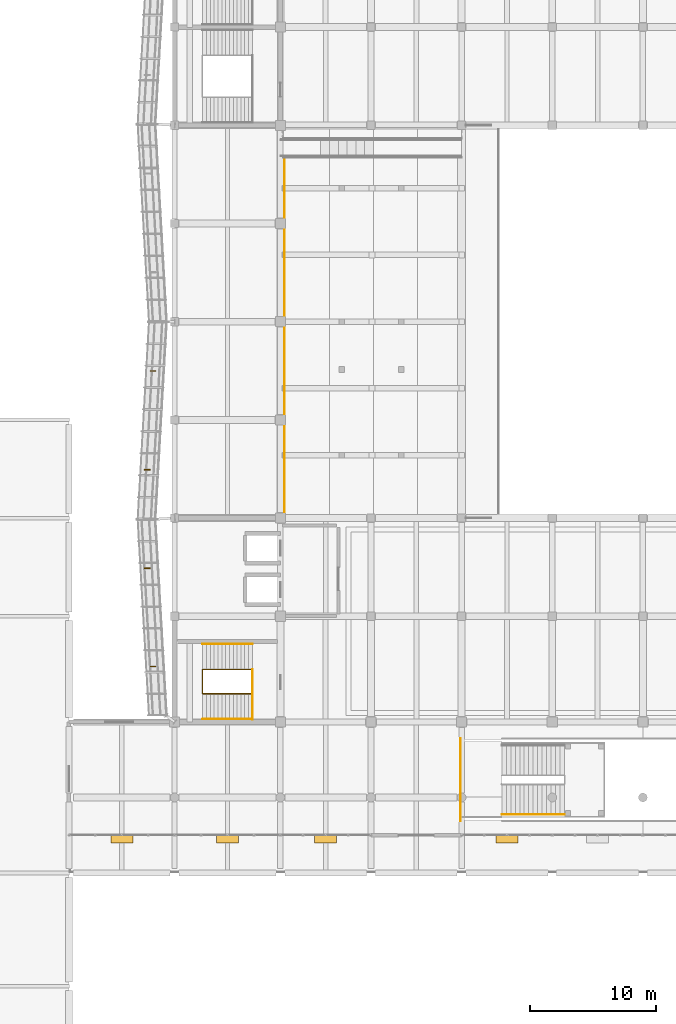
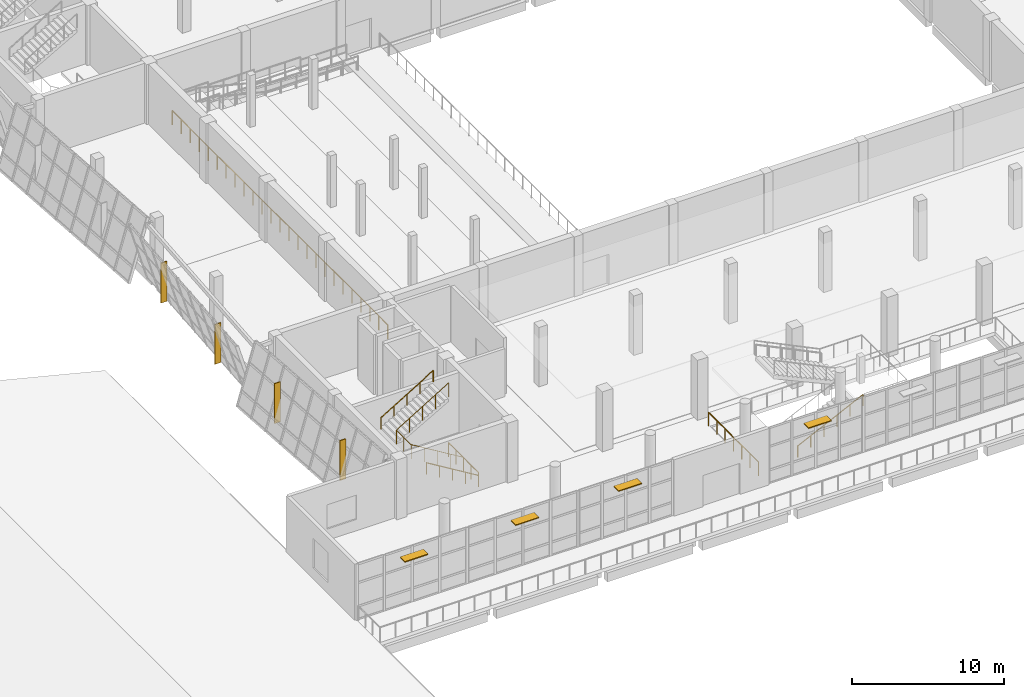
# One storey, part 72 of 79: 8 shading devices, 7 railings.
"""IFC4 building model written with IfcOpenShell, lengths in metres."""

from ifc_helpers import new_model, si_unit, direction, frame, origin, origin_2d, place, context, subcontext, project, spatial, rectangle, circle, extrude, material, type_object, element, save


model = new_model("IFC4")

# Units and contexts
model_context = context("Model", 3, precision=1e-05, world=origin(), true_north=direction((0.0, 1.0)))
body_context = subcontext(model_context, "Body", "Model", "MODEL_VIEW")
ifc_project = project(units=[si_unit("LENGTHUNIT", "METRE"), si_unit("AREAUNIT", "SQUARE_METRE"), si_unit("VOLUMEUNIT", "CUBIC_METRE"), si_unit("PLANEANGLEUNIT", "RADIAN"), si_unit("MASSUNIT", "GRAM", prefix="KILO")], contexts=[model_context])

# Site, building, storey
site_placement = place(None, origin())
site = spatial("IfcSite", under=ifc_project, at=site_placement, CompositionType="ELEMENT")
building_placement = place(site_placement, origin())
building = spatial("IfcBuilding", under=site, at=building_placement, Name="Pellamere Symphony Hall", CompositionType="ELEMENT")
storey_placement = place(building_placement, frame((0.0, 0.0, 10.199951171875)))
storey = spatial("IfcBuildingStorey", under=building, at=storey_placement, Name="L02", CompositionType="ELEMENT", Elevation=10.199951171875)

# Railings
ifc_material_1 = material(Name="Laminated Low-Iron Acoustic Balustrade Glass", Category="glass")
railing_type_1 = type_object("IfcRailingType", Name="Balustrade BL-01 H1120 Laminated", PredefinedType="BALUSTRADE", material=ifc_material_1)
railing_1_placement = place(storey_placement, frame((73.1201171875, 22.1201171875, 0.0)))
element("IfcRailing", 1, at=railing_1_placement, inside=storey, type_object=railing_type_1, Name="Safety Guardrail BL-ATR-L02W", PredefinedType="BALUSTRADE", context=body_context, shape_type="SweptSolid", body=[
    extrude(circle(Radius=0.02392578125, at=origin_2d()), frame((0.0, 0.0, 1.09619140625), z_axis=(0.0, 1.0, 0.0), x_axis=(-1.0, 0.0, 0.0)), (0.0, 0.0, 1.0), 6.559814453125),
    extrude(circle(Radius=0.02099609375, at=origin_2d()), origin(), (0.0, 0.0, 1.0), 1.072021484375),
    extrude(circle(Radius=0.02099609375, at=origin_2d()), frame((0.0, 1.09326171875, 0.0)), (0.0, 0.0, 1.0), 1.072021484375),
    extrude(circle(Radius=0.02099609375, at=origin_2d()), frame((0.0, 2.1865234375, 0.0)), (0.0, 0.0, 1.0), 1.072021484375),
    extrude(circle(Radius=0.02099609375, at=origin_2d()), frame((0.0, 3.27978515625, 0.0)), (0.0, 0.0, 1.0), 1.072021484375),
    extrude(circle(Radius=0.02099609375, at=origin_2d()), frame((0.0, 4.373291015625, 0.0)), (0.0, 0.0, 1.0), 1.072021484375),
    extrude(circle(Radius=0.02099609375, at=origin_2d()), frame((0.0, 5.466552734375, 0.0)), (0.0, 0.0, 1.0), 1.072021484375),
    extrude(circle(Radius=0.02099609375, at=origin_2d()), frame((0.0, 6.559814453125, 0.0)), (0.0, 0.0, 1.0), 1.072021484375),
])
ifc_material_2 = material(Name="Architectural Bronze-Anodised Aluminium Balustrade", Category="aluminium")
railing_type_2 = type_object("IfcRailingType", Name="Balustrade BL-02 H1150 Architectural", PredefinedType="BALUSTRADE", material=ifc_material_2)
railing_2_placement = place(storey_placement, frame((59.1201171875, 46.550048828125, 1.050048828125)))
element("IfcRailing", 2, at=railing_2_placement, inside=storey, type_object=railing_type_2, Name="Safety Guardrail BL-M-L02W", PredefinedType="BALUSTRADE", context=body_context, shape_type="SweptSolid", body=[
    extrude(circle(Radius=0.02392578125, at=origin_2d()), frame((0.0, 0.0, 1.1259765625), z_axis=(0.0, 1.0, 0.0), x_axis=(-1.0, 0.0, 0.0)), (0.0, 0.0, 1.0), 28.300048828125),
    extrude(circle(Radius=0.02099609375, at=origin_2d()), origin(), (0.0, 0.0, 1.0), 1.101806640625),
    extrude(circle(Radius=0.02099609375, at=origin_2d()), frame((0.0, 1.17919921875, 0.0)), (0.0, 0.0, 1.0), 1.101806640625),
    extrude(circle(Radius=0.02099609375, at=origin_2d()), frame((0.0, 2.3583984375, 0.0)), (0.0, 0.0, 1.0), 1.101806640625),
    extrude(circle(Radius=0.02099609375, at=origin_2d()), frame((0.0, 3.53759765625, 0.0)), (0.0, 0.0, 1.0), 1.101806640625),
    extrude(circle(Radius=0.02099609375, at=origin_2d()), frame((0.0, 4.716796875, 0.0)), (0.0, 0.0, 1.0), 1.101806640625),
    extrude(circle(Radius=0.02099609375, at=origin_2d()), frame((0.0, 5.895751953125, 0.0)), (0.0, 0.0, 1.0), 1.101806640625),
    extrude(circle(Radius=0.02099609375, at=origin_2d()), frame((0.0, 7.074951171875, 0.0)), (0.0, 0.0, 1.0), 1.101806640625),
    extrude(circle(Radius=0.02099609375, at=origin_2d()), frame((0.0, 8.254150390625, 0.0)), (0.0, 0.0, 1.0), 1.101806640625),
    extrude(circle(Radius=0.02099609375, at=origin_2d()), frame((0.0, 9.433349609375, 0.0)), (0.0, 0.0, 1.0), 1.101806640625),
    extrude(circle(Radius=0.02099609375, at=origin_2d()), frame((0.0, 10.612548828125, 0.0)), (0.0, 0.0, 1.0), 1.101806640625),
    extrude(circle(Radius=0.02099609375, at=origin_2d()), frame((0.0, 11.791748046875, 0.0)), (0.0, 0.0, 1.0), 1.101806640625),
    extrude(circle(Radius=0.02099609375, at=origin_2d()), frame((0.0, 12.970947265625, 0.0)), (0.0, 0.0, 1.0), 1.101806640625),
    extrude(circle(Radius=0.02099609375, at=origin_2d()), frame((0.0, 14.14990234375, 0.0)), (0.0, 0.0, 1.0), 1.101806640625),
    extrude(circle(Radius=0.02099609375, at=origin_2d()), frame((0.0, 15.3291015625, 0.0)), (0.0, 0.0, 1.0), 1.101806640625),
    extrude(circle(Radius=0.02099609375, at=origin_2d()), frame((0.0, 16.50830078125, 0.0)), (0.0, 0.0, 1.0), 1.101806640625),
    extrude(circle(Radius=0.02099609375, at=origin_2d()), frame((0.0, 17.6875, 0.0)), (0.0, 0.0, 1.0), 1.101806640625),
    extrude(circle(Radius=0.02099609375, at=origin_2d()), frame((0.0, 18.86669921875, 0.0)), (0.0, 0.0, 1.0), 1.101806640625),
    extrude(circle(Radius=0.02099609375, at=origin_2d()), frame((0.0, 20.0458984375, 0.0)), (0.0, 0.0, 1.0), 1.101806640625),
    extrude(circle(Radius=0.02099609375, at=origin_2d()), frame((0.0, 21.22509765625, 0.0)), (0.0, 0.0, 1.0), 1.101806640625),
    extrude(circle(Radius=0.02099609375, at=origin_2d()), frame((0.0, 22.404296875, 0.0)), (0.0, 0.0, 1.0), 1.101806640625),
    extrude(circle(Radius=0.02099609375, at=origin_2d()), frame((0.0, 23.58349609375, 0.0)), (0.0, 0.0, 1.0), 1.101806640625),
    extrude(circle(Radius=0.02099609375, at=origin_2d()), frame((0.0, 24.762451171875, 0.0)), (0.0, 0.0, 1.0), 1.101806640625),
    extrude(circle(Radius=0.02099609375, at=origin_2d()), frame((0.0, 25.941650390625, 0.0)), (0.0, 0.0, 1.0), 1.101806640625),
    extrude(circle(Radius=0.02099609375, at=origin_2d()), frame((0.0, 27.120849609375, 0.0)), (0.0, 0.0, 1.0), 1.101806640625),
    extrude(circle(Radius=0.02099609375, at=origin_2d()), frame((0.0, 28.300048828125, 0.0)), (0.0, 0.0, 1.0), 1.101806640625),
])

# Shading devices
ifc_material_3 = material(Name="Champagne-Anodised Extruded Aluminium 6063-T6", Category="aluminium")
shading_device_type_1 = type_object("IfcShadingDeviceType", Name="Exterior Shading SD-01 65x450", PredefinedType="SHUTTER", material=ifc_material_3)
for number, where, z_axis, x_axis, name in (
    (3, (48.674072265625, 57.875, 0.80029296875), (0.0, 0.0, 1.0), (0.0, 1.0, 0.0), "Crystal Acoustic Sunshade Fin CW-CR17 (L02)"),
    (4, (48.22412109375, 50.02490234375, 0.80029296875), (0.0, 0.0, 1.0), (0.0, 1.0, 0.0), "Crystal Acoustic Sunshade Fin CW-CR17 (L02)"),
    (5, (48.22412109375, 42.199951171875, 0.80029296875), (0.0, 0.0, 1.0), (0.0, 1.0, 0.0), "Crystal Acoustic Sunshade Fin CW-CR18 (L02)"),
    (6, (48.674072265625, 34.39990234375, 0.80029296875), (0.0, 0.0, 1.0), (0.0, 1.0, 0.0), "Crystal Acoustic Sunshade Fin CW-CR18 (L02)"),
):
    element("IfcShadingDevice", number, at=place(storey_placement, frame(where, z_axis=z_axis, x_axis=x_axis)), inside=storey, type_object=shading_device_type_1, Name=name, PredefinedType="SHUTTER", context=body_context, shape_type="SweptSolid", body=[
        extrude(rectangle(XDim=0.06494140625, YDim=0.449951171875, at=origin_2d()), origin(), (0.0, 0.0, 1.0), 3.199951171875),
    ])
shading_device_type_2 = type_object("IfcShadingDeviceType", Name="Exterior Shading SD-02 1750x650", PredefinedType="AWNING", material=ifc_material_3)
for number, where, z_axis, x_axis, name in (
    (7, (46.199951171875, 20.719970703125, 3.8125), (0.0, 0.0, 1.0), (1.0, 0.0, 0.0), "South Concourse Brise-Soleil Awning (L02 Bay 1)"),
    (8, (54.60009765625, 20.719970703125, 3.8125), (0.0, 0.0, 1.0), (1.0, 0.0, 0.0), "South Concourse Brise-Soleil Awning (L02 Bay 2)"),
    (9, (62.39990234375, 20.719970703125, 3.8125), (0.0, 0.0, 1.0), (1.0, 0.0, 0.0), "South Concourse Brise-Soleil Awning (L02 Bay 3)"),
    (10, (76.800048828125, 20.719970703125, 3.8125), (0.0, 0.0, 1.0), (1.0, 0.0, 0.0), "South Concourse Brise-Soleil Awning (L02 Bay 5)"),
):
    element("IfcShadingDevice", number, at=place(storey_placement, frame(where, z_axis=z_axis, x_axis=x_axis)), inside=storey, type_object=shading_device_type_2, Name=name, PredefinedType="AWNING", context=body_context, shape_type="SweptSolid", body=[
        extrude(rectangle(XDim=1.75, YDim=0.64990234375, at=origin_2d()), origin(), (0.0, 0.0, 1.0), 0.074951171875),
    ])

# Railings
ifc_material_4 = material(Name="Painted Steel CSA G40.21 350W", Category="steel")
railing_type_3 = type_object("IfcRailingType", Name="Guardrail GR-02 H1150 Painted", PredefinedType="GUARDRAIL", material=ifc_material_4)
railing_3_placement = place(storey_placement, frame((56.574951171875, 32.239990234375, 0.0)))
element("IfcRailing", 11, at=railing_3_placement, inside=storey, type_object=railing_type_3, Name="Stair ST01-L02 Continuous Well Guardrail (L02)", PredefinedType="GUARDRAIL", context=body_context, shape_type="SweptSolid", body=[
    extrude(circle(Radius=0.02392578125, at=origin_2d()), frame((0.0, 0.0, 1.1259765625), z_axis=(-0.854599162348, 0.0, 0.519288235679), x_axis=(0.0, -1.0, 0.0)), (0.0, 0.0, 1.0), 4.6220703125),
    extrude(circle(Radius=0.02392578125, at=origin_2d()), frame((-3.949951171875, 0.0, 3.52587890625), z_axis=(0.0, 1.0, 0.0), x_axis=(-1.0, 0.0, 0.0)), (0.0, 0.0, 1.0), 1.919921875),
    extrude(circle(Radius=0.02392578125, at=origin_2d()), frame((-3.949951171875, 1.919921875, 3.52587890625), z_axis=(0.854622603422, 0.0, 0.519249656446), x_axis=(0.0, 1.0, 0.0)), (0.0, 0.0, 1.0), 4.621826171875),
    extrude(circle(Radius=0.02099609375, at=origin_2d()), origin(), (0.0, 0.0, 1.0), 1.101806640625),
    extrude(circle(Radius=0.02099609375, at=origin_2d()), frame((-0.987548828125, 0.0, 0.60009765625)), (0.0, 0.0, 1.0), 1.101806640625),
    extrude(circle(Radius=0.02099609375, at=origin_2d()), frame((-1.97509765625, 0.0, 1.2001953125)), (0.0, 0.0, 1.0), 1.101806640625),
    extrude(circle(Radius=0.02099609375, at=origin_2d()), frame((-2.96240234375, 0.0, 1.800048828125)), (0.0, 0.0, 1.0), 1.101806640625),
    extrude(circle(Radius=0.02099609375, at=origin_2d()), frame((-3.949951171875, 0.0, 2.400146484375)), (0.0, 0.0, 1.0), 1.101806640625),
    extrude(circle(Radius=0.02099609375, at=origin_2d()), frame((-3.949951171875, 0.9599609375, 2.400146484375)), (0.0, 0.0, 1.0), 1.101806640625),
    extrude(circle(Radius=0.02099609375, at=origin_2d()), frame((-3.949951171875, 1.919921875, 2.400146484375)), (0.0, 0.0, 1.0), 1.101806640625),
    extrude(circle(Radius=0.02099609375, at=origin_2d()), frame((-2.96240234375, 1.919921875, 3.0)), (0.0, 0.0, 1.0), 1.101806640625),
    extrude(circle(Radius=0.02099609375, at=origin_2d()), frame((-1.97509765625, 1.919921875, 3.60009765625)), (0.0, 0.0, 1.0), 1.101806640625),
    extrude(circle(Radius=0.02099609375, at=origin_2d()), frame((-0.987548828125, 1.919921875, 4.2001953125)), (0.0, 0.0, 1.0), 1.101806640625),
    extrude(circle(Radius=0.02099609375, at=origin_2d()), frame((0.0, 1.919921875, 4.800048828125)), (0.0, 0.0, 1.0), 1.101806640625),
])
railing_4_placement = place(storey_placement, frame((56.574951171875, 30.2099609375, 0.0)))
element("IfcRailing", 12, at=railing_4_placement, inside=storey, type_object=railing_type_3, Name="Stair ST01-L02 Landing Well Slot Guard (L02)", PredefinedType="GUARDRAIL", context=body_context, shape_type="SweptSolid", body=[
    extrude(circle(Radius=0.02392578125, at=origin_2d()), frame((0.0, 0.0, 1.1259765625), z_axis=(0.0, 1.0, 0.0), x_axis=(-1.0, 0.0, 0.0)), (0.0, 0.0, 1.0), 3.949951171875),
    extrude(circle(Radius=0.02099609375, at=origin_2d()), origin(), (0.0, 0.0, 1.0), 1.101806640625),
    extrude(circle(Radius=0.02099609375, at=origin_2d()), frame((0.0, 0.987548828125, 0.0)), (0.0, 0.0, 1.0), 1.101806640625),
    extrude(circle(Radius=0.02099609375, at=origin_2d()), frame((0.0, 1.97509765625, 0.0)), (0.0, 0.0, 1.0), 1.101806640625),
    extrude(circle(Radius=0.02099609375, at=origin_2d()), frame((0.0, 2.96240234375, 0.0)), (0.0, 0.0, 1.0), 1.101806640625),
    extrude(circle(Radius=0.02099609375, at=origin_2d()), frame((0.0, 3.949951171875, 0.0)), (0.0, 0.0, 1.0), 1.101806640625),
])
ifc_material_5 = material(Name="Stainless Steel AISI 316", Category="steel")
railing_type_4 = type_object("IfcRailingType", Name="Handrail HR-01 H920 Stainless", PredefinedType="HANDRAIL", material=ifc_material_5)
railing_5_placement = place(storey_placement, frame((56.574951171875, 30.219970703125, 0.0)))
element("IfcRailing", 13, at=railing_5_placement, inside=storey, type_object=railing_type_4, Name="Stair ST01-L02 Lower Wall Handrail (L02)", PredefinedType="HANDRAIL", context=body_context, shape_type="SweptSolid", body=[
    extrude(circle(Radius=0.02392578125, at=origin_2d()), frame((0.0, 0.0, 0.89599609375), z_axis=(-0.854599162348, 0.0, 0.519288235679), x_axis=(0.0, -1.0, 0.0)), (0.0, 0.0, 1.0), 4.6220703125),
    extrude(circle(Radius=0.02099609375, at=origin_2d()), origin(), (0.0, 0.0, 1.0), 0.871826171875),
    extrude(circle(Radius=0.02099609375, at=origin_2d()), frame((-0.987548828125, 0.0, 0.60009765625)), (0.0, 0.0, 1.0), 0.871826171875),
    extrude(circle(Radius=0.02099609375, at=origin_2d()), frame((-1.97509765625, 0.0, 1.2001953125)), (0.0, 0.0, 1.0), 0.871826171875),
    extrude(circle(Radius=0.02099609375, at=origin_2d()), frame((-2.96240234375, 0.0, 1.800048828125)), (0.0, 0.0, 1.0), 0.871826171875),
    extrude(circle(Radius=0.02099609375, at=origin_2d()), frame((-3.949951171875, 0.0, 2.400146484375)), (0.0, 0.0, 1.0), 0.871826171875),
])
railing_6_placement = place(storey_placement, frame((52.625, 36.179931640625, 2.400146484375)))
element("IfcRailing", 14, at=railing_6_placement, inside=storey, type_object=railing_type_4, Name="Stair ST01-L02 Upper Wall Handrail (L02)", PredefinedType="HANDRAIL", context=body_context, shape_type="SweptSolid", body=[
    extrude(circle(Radius=0.02392578125, at=origin_2d()), frame((0.0, 0.0, 0.89599609375), z_axis=(0.854622603422, 0.0, 0.519249656446), x_axis=(0.0, 1.0, 0.0)), (0.0, 0.0, 1.0), 4.621826171875),
    extrude(circle(Radius=0.02099609375, at=origin_2d()), origin(), (0.0, 0.0, 1.0), 0.871826171875),
    extrude(circle(Radius=0.02099609375, at=origin_2d()), frame((0.987548828125, 0.0, 0.60009765625)), (0.0, 0.0, 1.0), 0.871826171875),
    extrude(circle(Radius=0.02099609375, at=origin_2d()), frame((1.97509765625, 0.0, 1.199951171875)), (0.0, 0.0, 1.0), 0.871826171875),
    extrude(circle(Radius=0.02099609375, at=origin_2d()), frame((2.96240234375, 0.0, 1.7998046875)), (0.0, 0.0, 1.0), 0.871826171875),
    extrude(circle(Radius=0.02099609375, at=origin_2d()), frame((3.949951171875, 0.0, 2.39990234375)), (0.0, 0.0, 1.0), 0.871826171875),
])
ifc_material_6 = material(Name="Solid White Oak Acoustic Handrail with Steel Core", Category="steel")
railing_type_5 = type_object("IfcRailingType", Name="Handrail HR-02 H920 Solid", PredefinedType="HANDRAIL", material=ifc_material_6)
railing_7_placement = place(storey_placement, frame((76.39990234375, 22.64990234375, 0.0)))
element("IfcRailing", 15, at=railing_7_placement, inside=storey, type_object=railing_type_5, Name="Feature Stair Oak Handrail Lower (L02)", PredefinedType="HANDRAIL", context=body_context, shape_type="SweptSolid", body=[
    extrude(circle(Radius=0.02392578125, at=origin_2d()), frame((0.0, 0.0, 0.89599609375), z_axis=(0.900155889247, 0.0, 0.435567876517), x_axis=(0.0, 1.0, 0.0)), (0.0, 0.0, 1.0), 5.510498046875),
    extrude(circle(Radius=0.02099609375, at=origin_2d()), origin(), (0.0, 0.0, 1.0), 0.871826171875),
    extrude(circle(Radius=0.02099609375, at=origin_2d()), frame((0.991943359375, 0.0, 0.47998046875)), (0.0, 0.0, 1.0), 0.871826171875),
    extrude(circle(Radius=0.02099609375, at=origin_2d()), frame((1.984130859375, 0.0, 0.9599609375)), (0.0, 0.0, 1.0), 0.871826171875),
    extrude(circle(Radius=0.02099609375, at=origin_2d()), frame((2.97607421875, 0.0, 1.440185546875)), (0.0, 0.0, 1.0), 0.871826171875),
    extrude(circle(Radius=0.02099609375, at=origin_2d()), frame((3.96826171875, 0.0, 1.920166015625)), (0.0, 0.0, 1.0), 0.871826171875),
    extrude(circle(Radius=0.02099609375, at=origin_2d()), frame((4.960205078125, 0.0, 2.400146484375)), (0.0, 0.0, 1.0), 0.871826171875),
])

save(model, "model.ifc")
